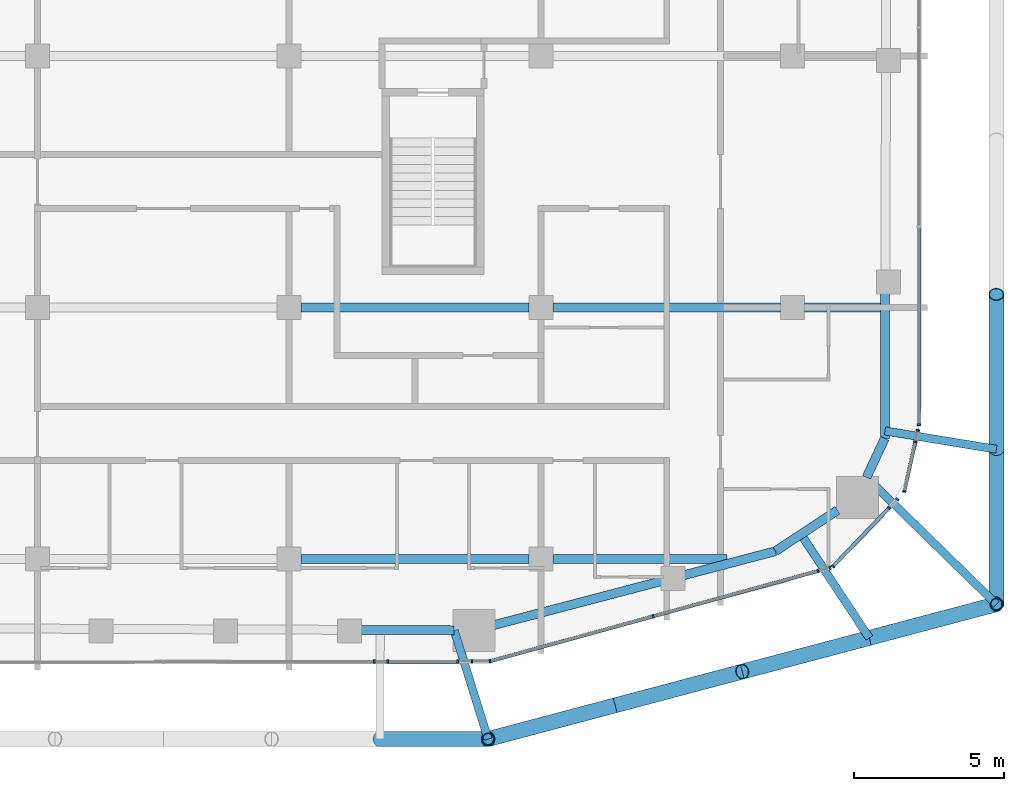
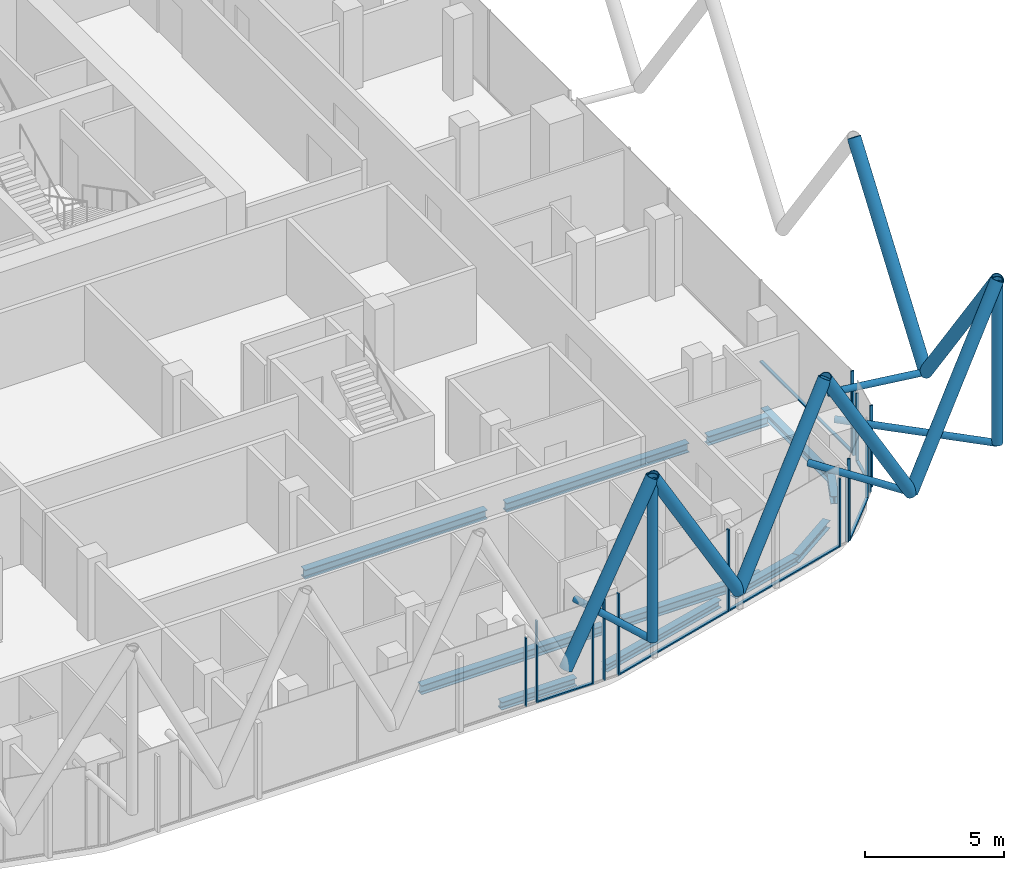
# One storey, part 6 of 31: 34 members, 11 beams, 11 elements without a shape of their own.
"""IFC4 building model written with IfcOpenShell, lengths in metres."""

from ifc_helpers import new_model, si_unit, direction, frame, origin, origin_2d, place, context, subcontext, project, spatial, rectangle, hollow_circle, i_section, extrude, material, layer, layer_set, material_profile, profile_set, type_object, element, aggregate, save


model = new_model("IFC4")

# Units and contexts
model_context = context("Model", 3, precision=1e-05, world=origin(), true_north=direction((0.0, 1.0)))
body_context = subcontext(model_context, "Body", "Model", "MODEL_VIEW")
ifc_project = project(units=[si_unit("LENGTHUNIT", "METRE"), si_unit("AREAUNIT", "SQUARE_METRE"), si_unit("VOLUMEUNIT", "CUBIC_METRE"), si_unit("PLANEANGLEUNIT", "RADIAN"), si_unit("MASSUNIT", "GRAM", prefix="KILO")], contexts=[model_context])

# Site, building, storey
site_placement = place(None, origin())
site = spatial("IfcSite", under=ifc_project, at=site_placement, CompositionType="ELEMENT")
building_placement = place(site_placement, origin())
building = spatial("IfcBuilding", under=site, at=building_placement, Name="Marenta Gate Hotel Tower", CompositionType="ELEMENT")
storey_placement = place(building_placement, frame((0.0, 0.0, 205.699951171875)))
storey = spatial("IfcBuildingStorey", under=building, at=storey_placement, Name="L47", CompositionType="ELEMENT", Elevation=205.699951171875)

# Members
ifc_material_1 = material(Name="Steel S355J2W", Category="steel")
ifc_material_profile_1 = material_profile(ifc_material_1, hollow_circle(Radius=0.203125, WallThickness=0.02490234375, at=origin_2d()), Name="CHS 406.4x25")
ifc_profile_set_1 = profile_set([ifc_material_profile_1], Name="Steel S355J2W")
member_type_1 = type_object("IfcMemberType", Name="Diagrid corner post Z3 CHS 406.4x25", PredefinedType="POST", material=ifc_profile_set_1)
for number, where, z_axis, x_axis, name in (
    (1, (27.800048828125, -26.7001953125, 3.14013671875), (0.0, 0.0, 1.0), (1.0, 0.0, 0.0), "L47-DR-2"),
    (2, (10.839111328125, -31.199951171875, 3.14013671875), (0.0, 0.0, 1.0), (1.0, 0.0, 0.0), "L47-DR-3"),
):
    element("IfcMember", number, at=place(storey_placement, frame(where, z_axis=z_axis, x_axis=x_axis)), inside=storey, type_object=member_type_1, Name=name, PredefinedType="POST", context=body_context, shape_type="SweptSolid", body=[
        extrude(hollow_circle(Radius=0.203125, WallThickness=0.02490234375, at=origin_2d()), origin(), (0.0, 0.0, 1.0), 7.199951171875),
    ])
ifc_material_2 = material(Name="Steel S355J2W", Category="steel")
ifc_material_profile_2 = material_profile(ifc_material_2, hollow_circle(Radius=0.25390625, WallThickness=0.02490234375, at=origin_2d()), Name="CHS 508x25")
ifc_profile_set_2 = profile_set([ifc_material_profile_2], Name="Steel S355J2W")
member_type_2 = type_object("IfcMemberType", Name="Diagrid diagonal Z3 CHS 508x25", PredefinedType="BRACE", material=ifc_profile_set_2)
member_1_placement = place(storey_placement, frame((27.800048828125, -21.530029296875, 3.14013671875), z_axis=(0.0, 0.583260841117, 0.812284919975), x_axis=(-1.0, 0.0, 0.0)))
element("IfcMember", 3, at=member_1_placement, inside=storey, type_object=member_type_2, Name="L47-DG-9", PredefinedType="BRACE", context=body_context, shape_type="SweptSolid", body=[
    extrude(hollow_circle(Radius=0.25390625, WallThickness=0.02490234375, at=origin_2d()), origin(), (0.0, 0.0, 1.0), 8.86376953125),
])
member_2_placement = place(storey_placement, frame((27.800048828125, -21.530029296875, 3.14013671875), z_axis=(0.0, -0.583279014058, 0.812271870595), x_axis=(1.0, 0.0, 0.0)))
element("IfcMember", 4, at=member_2_placement, inside=storey, type_object=member_type_2, Name="L47-DG-10", PredefinedType="BRACE", context=body_context, shape_type="SweptSolid", body=[
    extrude(hollow_circle(Radius=0.25390625, WallThickness=0.02490234375, at=origin_2d()), origin(), (0.0, 0.0, 1.0), 8.864013671875),
])
for number, where, z_axis, x_axis, name in (
    (5, (23.559814453125, -27.8251953125, 3.14013671875), (0.502924018666, 0.133433548941, 0.853968921838), (-0.256443187528, 0.96655930577, 0.0), "L47-DG-11"),
    (6, (23.559814453125, -27.8251953125, 3.14013671875), (-0.502924018666, -0.133433548941, 0.853968921838), (0.256443187528, -0.96655930577, 0.0), "L47-DG-12"),
    (7, (15.079345703125, -30.074951171875, 3.14013671875), (0.502925961678, 0.133405107407, 0.853972221087), (-0.256391194513, 0.966573098827, 0.0), "L47-DG-13"),
    (8, (15.079345703125, -30.074951171875, 3.14013671875), (-0.502924018666, -0.133433548941, 0.853968921838), (0.256443187528, -0.96655930577, 0.0), "L47-DG-14"),
):
    element("IfcMember", number, at=place(storey_placement, frame(where, z_axis=z_axis, x_axis=x_axis)), inside=storey, type_object=member_type_2, Name=name, PredefinedType="BRACE", context=body_context, shape_type="SweptSolid", body=[
        extrude(hollow_circle(Radius=0.25390625, WallThickness=0.02490234375, at=origin_2d()), origin(), (0.0, 0.0, 1.0), 8.43115234375),
    ])
member_3_placement = place(storey_placement, frame((7.22607421875, -31.199951171875, 3.14013671875), z_axis=(0.44851025603, 0.0, 0.893777685018), x_axis=(0.0, 1.0, 0.0)))
element("IfcMember", 9, at=member_3_placement, inside=storey, type_object=member_type_2, Name="L47-DG-15", PredefinedType="BRACE", context=body_context, shape_type="SweptSolid", body=[
    extrude(hollow_circle(Radius=0.25390625, WallThickness=0.02490234375, at=origin_2d()), origin(), (0.0, 0.0, 1.0), 8.0556640625),
])

# Beams
ifc_material_3 = material(Name="Steel S355", Category="steel")
ifc_material_profile_3 = material_profile(ifc_material_3, i_section(OverallWidth=0.300048828125, OverallDepth=0.340087890625, WebThickness=0.011962890625, FlangeThickness=0.021484375, FilletRadius=0.027099609375, at=origin_2d()), Name="HEB 340")
ifc_profile_set_3 = profile_set([ifc_material_profile_3], Name="Steel S355")
beam_type_1 = type_object("IfcBeamType", Name="Edge beam HEB 340", PredefinedType="SPANDREL", material=ifc_profile_set_3)
beam_1_placement = place(storey_placement, frame((24.09130859375, -16.31201171875, -0.429931640625), z_axis=(-0.003318732666, -0.999994492992, 0.0), x_axis=(0.999994492992, -0.003318732666, 0.0)))
element("IfcBeam", 10, at=beam_1_placement, inside=storey, type_object=beam_type_1, Name="L47-EB-27", PredefinedType="SPANDREL", context=body_context, shape_type="SweptSolid", body=[
    extrude(i_section(OverallWidth=0.300048828125, OverallDepth=0.340087890625, WebThickness=0.011962890625, FlangeThickness=0.021484375, FilletRadius=0.027099609375, at=origin_2d()), origin(), (0.0, 0.0, 1.0), 4.855224609375),
])
beam_2_placement = place(storey_placement, frame((24.0751953125, -21.167236328125, -0.429931640625), z_axis=(-0.423341112024, -0.905970365338, 0.0), x_axis=(0.905970365338, -0.423341112024, 0.0)))
element("IfcBeam", 11, at=beam_2_placement, inside=storey, type_object=beam_type_1, Name="L47-EB-28", PredefinedType="SPANDREL", context=body_context, shape_type="SweptSolid", body=[
    extrude(i_section(OverallWidth=0.300048828125, OverallDepth=0.340087890625, WebThickness=0.011962890625, FlangeThickness=0.021484375, FilletRadius=0.027099609375, at=origin_2d()), origin(), (0.0, 0.0, 1.0), 1.437255859375),
])
beam_3_placement = place(storey_placement, frame((22.496337890625, -23.56640625, -0.429931640625), z_axis=(-0.834528740585, -0.550964410047, 0.0), x_axis=(0.550964410047, -0.834528740585, 0.0)))
element("IfcBeam", 12, at=beam_3_placement, inside=storey, type_object=beam_type_1, Name="L47-EB-29", PredefinedType="SPANDREL", context=body_context, shape_type="SweptSolid", body=[
    extrude(i_section(OverallWidth=0.300048828125, OverallDepth=0.340087890625, WebThickness=0.011962890625, FlangeThickness=0.021484375, FilletRadius=0.027099609375, at=origin_2d()), origin(), (0.0, 0.0, 1.0), 2.47705078125),
])
beam_4_placement = place(storey_placement, frame((20.42919921875, -24.93115234375, -0.429931640625), z_axis=(-0.967235227858, -0.253881889845, 0.0), x_axis=(0.253881889845, -0.967235227858, 0.0)))
element("IfcBeam", 13, at=beam_4_placement, inside=storey, type_object=beam_type_1, Name="L47-EB-30", PredefinedType="SPANDREL", context=body_context, shape_type="SweptSolid", body=[
    extrude(i_section(OverallWidth=0.300048828125, OverallDepth=0.340087890625, WebThickness=0.011962890625, FlangeThickness=0.021484375, FilletRadius=0.027099609375, at=origin_2d()), origin(), (0.0, 0.0, 1.0), 3.164794921875),
])
beam_5_placement = place(storey_placement, frame((16.6455078125, -25.92431640625, -0.429931640625), z_axis=(-0.96723496524, -0.253882890359, 0.0), x_axis=(0.253882890359, -0.96723496524, 0.0)))
element("IfcBeam", 14, at=beam_5_placement, inside=storey, type_object=beam_type_1, Name="L47-EB-31", PredefinedType="SPANDREL", context=body_context, shape_type="SweptSolid", body=[
    extrude(i_section(OverallWidth=0.300048828125, OverallDepth=0.340087890625, WebThickness=0.011962890625, FlangeThickness=0.021484375, FilletRadius=0.027099609375, at=origin_2d()), origin(), (0.0, 0.0, 1.0), 5.80810546875),
])
beam_6_placement = place(storey_placement, frame((9.706298828125, -27.570068359375, -0.429931640625), z_axis=(-0.999992678531, 0.003826602206, 0.0), x_axis=(-0.003826602206, -0.999992678531, 0.0)))
element("IfcBeam", 15, at=beam_6_placement, inside=storey, type_object=beam_type_1, Name="L47-EB-32", PredefinedType="SPANDREL", context=body_context, shape_type="SweptSolid", body=[
    extrude(i_section(OverallWidth=0.300048828125, OverallDepth=0.340087890625, WebThickness=0.011962890625, FlangeThickness=0.021484375, FilletRadius=0.027099609375, at=origin_2d()), origin(), (0.0, 0.0, 1.0), 3.126220703125),
])

# Members
ifc_material_4 = material(Name="Steel S355J2W", Category="steel")
ifc_material_profile_4 = material_profile(ifc_material_4, hollow_circle(Radius=0.136474609375, WallThickness=0.012451171875, at=origin_2d()), Name="CHS 273x12.5")
ifc_profile_set_4 = profile_set([ifc_material_profile_4], Name="Steel S355J2W")
member_type_3 = type_object("IfcMemberType", Name="Floor tie CHS 273x12.5", PredefinedType="STRUT", material=ifc_profile_set_4)
member_4_placement = place(storey_placement, frame((27.800048828125, -21.530029296875, 3.14013671875), z_axis=(-0.986729812745, 0.162370799838, 0.0), x_axis=(-0.162370799838, -0.986729812745, 0.0)))
element("IfcMember", 16, at=member_4_placement, inside=storey, type_object=member_type_3, Name="L47-DR-10", PredefinedType="STRUT", context=body_context, shape_type="SweptSolid", body=[
    extrude(hollow_circle(Radius=0.136474609375, WallThickness=0.012451171875, at=origin_2d()), origin(), (0.0, 0.0, 1.0), 3.76806640625),
])
member_5_placement = place(storey_placement, frame((27.800048828125, -26.7001953125, 3.14013671875), z_axis=(-0.715510328178, 0.698602154499, 0.0), x_axis=(-0.698602154499, -0.715510328178, 0.0)))
element("IfcMember", 17, at=member_5_placement, inside=storey, type_object=member_type_3, Name="L47-DR-11", PredefinedType="STRUT", context=body_context, shape_type="SweptSolid", body=[
    extrude(hollow_circle(Radius=0.136474609375, WallThickness=0.012451171875, at=origin_2d()), origin(), (0.0, 0.0, 1.0), 6.050048828125),
])
member_6_placement = place(storey_placement, frame((23.559814453125, -27.8251953125, 3.14013671875), z_axis=(-0.550987823012, 0.834513282634, 0.0), x_axis=(-0.834513282634, -0.550987823012, 0.0)))
element("IfcMember", 18, at=member_6_placement, inside=storey, type_object=member_type_3, Name="L47-DR-12", PredefinedType="STRUT", context=body_context, shape_type="SweptSolid", body=[
    extrude(hollow_circle(Radius=0.136474609375, WallThickness=0.012451171875, at=origin_2d()), origin(), (0.0, 0.0, 1.0), 4.134033203125),
])
member_7_placement = place(storey_placement, frame((10.839111328125, -31.199951171875, 3.14013671875), z_axis=(-0.297897789013, 0.954597772521, 0.0), x_axis=(-0.954597772521, -0.297897789013, 0.0)))
element("IfcMember", 19, at=member_7_placement, inside=storey, type_object=member_type_3, Name="L47-DR-13", PredefinedType="STRUT", context=body_context, shape_type="SweptSolid", body=[
    extrude(hollow_circle(Radius=0.136474609375, WallThickness=0.012451171875, at=origin_2d()), origin(), (0.0, 0.0, 1.0), 3.796142578125),
])

# Beams
ifc_material_5 = material(Name="Steel S355", Category="steel")
ifc_material_profile_5 = material_profile(ifc_material_5, i_section(OverallWidth=0.300048828125, OverallDepth=0.39990234375, WebThickness=0.013427734375, FlangeThickness=0.02392578125, FilletRadius=0.027099609375, at=origin_2d()), Name="HEB 400")
ifc_profile_set_5 = profile_set([ifc_material_profile_5], Name="Steel S355")
beam_type_2 = type_object("IfcBeamType", Name="Girder HEB 400", PredefinedType="BEAM", material=ifc_profile_set_5)
beam_7_placement = place(storey_placement, frame((4.60009765625, -25.199951171875, -0.4599609375), z_axis=(1.0, 0.0, 0.0), x_axis=(0.0, 1.0, 0.0)))
element("IfcBeam", 20, at=beam_7_placement, inside=storey, type_object=beam_type_2, Name="L47-GD-4", PredefinedType="BEAM", context=body_context, shape_type="SweptSolid", body=[
    extrude(i_section(OverallWidth=0.300048828125, OverallDepth=0.39990234375, WebThickness=0.013427734375, FlangeThickness=0.02392578125, FilletRadius=0.027099609375, at=origin_2d()), origin(), (0.0, 0.0, 1.0), 7.599853515625),
])
beam_8_placement = place(storey_placement, frame((13.0, -25.199951171875, -0.4599609375), z_axis=(1.0, 0.0, 0.0), x_axis=(0.0, 1.0, 0.0)))
element("IfcBeam", 21, at=beam_8_placement, inside=storey, type_object=beam_type_2, Name="L47-GD-5", PredefinedType="BEAM", context=body_context, shape_type="SweptSolid", body=[
    extrude(i_section(OverallWidth=0.300048828125, OverallDepth=0.39990234375, WebThickness=0.013427734375, FlangeThickness=0.02392578125, FilletRadius=0.027099609375, at=origin_2d()), origin(), (0.0, 0.0, 1.0), 5.81396484375),
])
beam_9_placement = place(storey_placement, frame((4.60009765625, -16.800048828125, -0.4599609375), z_axis=(1.0, 0.0, 0.0), x_axis=(0.0, 1.0, 0.0)))
element("IfcBeam", 22, at=beam_9_placement, inside=storey, type_object=beam_type_2, Name="L47-GD-10", PredefinedType="BEAM", context=body_context, shape_type="SweptSolid", body=[
    extrude(i_section(OverallWidth=0.300048828125, OverallDepth=0.39990234375, WebThickness=0.013427734375, FlangeThickness=0.02392578125, FilletRadius=0.027099609375, at=origin_2d()), origin(), (0.0, 0.0, 1.0), 7.599853515625),
])
beam_10_placement = place(storey_placement, frame((13.0, -16.800048828125, -0.4599609375), z_axis=(1.0, 0.0, 0.0), x_axis=(0.0, 1.0, 0.0)))
element("IfcBeam", 23, at=beam_10_placement, inside=storey, type_object=beam_type_2, Name="L47-GD-11", PredefinedType="BEAM", context=body_context, shape_type="SweptSolid", body=[
    extrude(i_section(OverallWidth=0.300048828125, OverallDepth=0.39990234375, WebThickness=0.013427734375, FlangeThickness=0.02392578125, FilletRadius=0.027099609375, at=origin_2d()), origin(), (0.0, 0.0, 1.0), 7.60009765625),
])
beam_11_placement = place(storey_placement, frame((21.39990234375, -16.800048828125, -0.4599609375), z_axis=(1.0, 0.0, 0.0), x_axis=(0.0, 1.0, 0.0)))
element("IfcBeam", 24, at=beam_11_placement, inside=storey, type_object=beam_type_2, Name="L47-GD-12", PredefinedType="BEAM", context=body_context, shape_type="SweptSolid", body=[
    extrude(i_section(OverallWidth=0.300048828125, OverallDepth=0.39990234375, WebThickness=0.013427734375, FlangeThickness=0.02392578125, FilletRadius=0.027099609375, at=origin_2d()), origin(), (0.0, 0.0, 1.0), 2.539794921875),
])

# Curtain wall, member
ifc_material_6 = material(Name="Tinted insulated glass in bronze anodised frame", Category="glass")
ifc_layer = layer(ifc_material_6, 0.1201171875)
ifc_layer_set = layer_set([ifc_layer], Name="Tinted insulated glass in bronze anodised frame")
curtain_wall_type = type_object("IfcCurtainWallType", Name="Tower unitised curtain wall CW1", PredefinedType="NOTDEFINED", material=ifc_layer_set)
curtain_wall_1_placement = place(storey_placement, origin())
curtain_wall_1 = element("IfcCurtainWall", 25, at=curtain_wall_1_placement, inside=storey, type_object=curtain_wall_type, Name="CW1 run G22", PredefinedType="NOTDEFINED")
ifc_material_7 = material(Name="Bronze anodised aluminium", Category="aluminium")
ifc_material_profile_6 = material_profile(ifc_material_7, rectangle(XDim=0.1201171875, YDim=0.06005859375, at=origin_2d()), Name="Mullion CW1 60x120 bronze anodised aluminium")
ifc_profile_set_6 = profile_set([ifc_material_profile_6], Name="Bronze anodised aluminium")
member_type_4 = type_object("IfcMemberType", Name="Mullion CW1 60x120 bronze anodised aluminium", PredefinedType="MULLION", material=ifc_profile_set_6)
member_8_placement = place(storey_placement, frame((7.039306640625, -28.618896484375, 0.0), z_axis=(0.0, 0.0, 1.0), x_axis=(-0.001765611905, 0.999998441306, 0.0)))
member_8 = element("IfcMember", 26, at=member_8_placement, type_object=member_type_4, Name="CW1 mullion 1", PredefinedType="MULLION", context=body_context, shape_type="SweptSolid", body=[
    extrude(rectangle(XDim=0.1201171875, YDim=0.06005859375, at=origin_2d()), origin(), (0.0, 0.0, 1.0), 3.00048828125),
])
aggregate(curtain_wall_1, [member_8])

curtain_wall_2_placement = place(storey_placement, origin())
curtain_wall_2 = element("IfcCurtainWall", 27, at=curtain_wall_2_placement, inside=storey, type_object=curtain_wall_type, Name="CW1 run G23", PredefinedType="NOTDEFINED")
member_9_placement = place(storey_placement, frame((7.492431640625, -28.6181640625, 0.0), z_axis=(0.0, 0.0, 1.0), x_axis=(-0.001629220957, 0.999998672819, 0.0)))
member_9 = element("IfcMember", 28, at=member_9_placement, type_object=member_type_4, Name="CW1 mullion 1", PredefinedType="MULLION", context=body_context, shape_type="SweptSolid", body=[
    extrude(rectangle(XDim=0.1201171875, YDim=0.06005859375, at=origin_2d()), origin(), (0.0, 0.0, 1.0), 3.60009765625),
])

curtain_wall_3_placement = place(storey_placement, origin())
curtain_wall_3 = element("IfcCurtainWall", 29, at=curtain_wall_3_placement, inside=storey, type_object=curtain_wall_type, Name="CW1 run G24", PredefinedType="NOTDEFINED")
member_10_placement = place(storey_placement, frame((9.824951171875, -28.6142578125, 0.0), z_axis=(0.0, 0.0, 1.0), x_axis=(-0.001686693784, 0.999998577531, 0.0)))
member_10 = element("IfcMember", 30, at=member_10_placement, type_object=member_type_4, Name="CW1 mullion 1", PredefinedType="MULLION", context=body_context, shape_type="SweptSolid", body=[
    extrude(rectangle(XDim=0.1201171875, YDim=0.06005859375, at=origin_2d()), origin(), (0.0, 0.0, 1.0), 3.00048828125),
])
aggregate(curtain_wall_3, [member_10])

curtain_wall_4_placement = place(storey_placement, origin())
curtain_wall_4 = element("IfcCurtainWall", 31, at=curtain_wall_4_placement, inside=storey, type_object=curtain_wall_type, Name="CW1 run G25", PredefinedType="NOTDEFINED")
member_11_placement = place(storey_placement, frame((10.29931640625, -28.613525390625, 0.0), z_axis=(0.0, 0.0, 1.0), x_axis=(-0.001654257461, 0.999998631715, 0.0)))
member_11 = element("IfcMember", 32, at=member_11_placement, type_object=member_type_4, Name="CW1 mullion 1", PredefinedType="MULLION", context=body_context, shape_type="SweptSolid", body=[
    extrude(rectangle(XDim=0.1201171875, YDim=0.06005859375, at=origin_2d()), origin(), (0.0, 0.0, 1.0), 3.60009765625),
])
aggregate(curtain_wall_4, [member_11])

# Curtain wall, members
curtain_wall_5_placement = place(storey_placement, origin())
curtain_wall_5 = element("IfcCurtainWall", 33, at=curtain_wall_5_placement, inside=storey, type_object=curtain_wall_type, Name="CW1 run G26", PredefinedType="NOTDEFINED")
member_12_placement = place(storey_placement, frame((10.902587890625, -28.6044921875, 0.0), z_axis=(0.0, 0.0, 1.0), x_axis=(-0.265293853742, 0.964167605329, 0.0)))
member_12 = element("IfcMember", 34, at=member_12_placement, type_object=member_type_4, Name="CW1 mullion 1", PredefinedType="MULLION", context=body_context, shape_type="SweptSolid", body=[
    extrude(rectangle(XDim=0.1201171875, YDim=0.06005859375, at=origin_2d()), origin(), (0.0, 0.0, 1.0), 3.60009765625),
])
member_13_placement = place(storey_placement, frame((16.3466796875, -27.106689453125, 0.0), z_axis=(0.0, 0.0, 1.0), x_axis=(-0.265293853742, 0.964167605329, 0.0)))
member_13 = element("IfcMember", 35, at=member_13_placement, type_object=member_type_4, Name="CW1 mullion 2", PredefinedType="MULLION", context=body_context, shape_type="SweptSolid", body=[
    extrude(rectangle(XDim=0.1201171875, YDim=0.06005859375, at=origin_2d()), origin(), (0.0, 0.0, 1.0), 3.60009765625),
])

curtain_wall_6_placement = place(storey_placement, origin())
curtain_wall_6 = element("IfcCurtainWall", 36, at=curtain_wall_6_placement, inside=storey, type_object=curtain_wall_type, Name="CW1 run G27", PredefinedType="NOTDEFINED")
member_14_placement = place(storey_placement, frame((21.8486328125, -25.5927734375, 0.0), z_axis=(0.0, 0.0, 1.0), x_axis=(-0.265283308776, 0.964170506749, 0.0)))
member_14 = element("IfcMember", 37, at=member_14_placement, type_object=member_type_4, Name="CW1 mullion 1", PredefinedType="MULLION", context=body_context, shape_type="SweptSolid", body=[
    extrude(rectangle(XDim=0.1201171875, YDim=0.06005859375, at=origin_2d()), origin(), (0.0, 0.0, 1.0), 3.00048828125),
])
member_15_placement = place(storey_placement, frame((22.25, -25.482177734375, 0.0), z_axis=(0.0, 0.0, 1.0), x_axis=(-0.265283308776, 0.964170506749, 0.0)))
member_15 = element("IfcMember", 38, at=member_15_placement, type_object=member_type_4, Name="CW1 mullion 2", PredefinedType="MULLION", context=body_context, shape_type="SweptSolid", body=[
    extrude(rectangle(XDim=0.1201171875, YDim=0.06005859375, at=origin_2d()), origin(), (0.0, 0.0, 1.0), 3.00048828125),
])
aggregate(curtain_wall_6, [member_14, member_15])

# Curtain wall, member
curtain_wall_7_placement = place(storey_placement, origin())
curtain_wall_7 = element("IfcCurtainWall", 39, at=curtain_wall_7_placement, inside=storey, type_object=curtain_wall_type, Name="CW1 run G28", PredefinedType="NOTDEFINED")
member_16_placement = place(storey_placement, frame((22.345458984375, -25.43994140625, 0.0), z_axis=(0.0, 0.0, 1.0), x_axis=(-0.721374796599, 0.692544874237, 0.0)))
member_16 = element("IfcMember", 40, at=member_16_placement, type_object=member_type_4, Name="CW1 mullion 1", PredefinedType="MULLION", context=body_context, shape_type="SweptSolid", body=[
    extrude(rectangle(XDim=0.1201171875, YDim=0.06005859375, at=origin_2d()), origin(), (0.0, 0.0, 1.0), 3.60009765625),
])

# Curtain wall, members
curtain_wall_8_placement = place(storey_placement, origin())
curtain_wall_8 = element("IfcCurtainWall", 41, at=curtain_wall_8_placement, inside=storey, type_object=curtain_wall_type, Name="CW1 run G29", PredefinedType="NOTDEFINED")
member_17_placement = place(storey_placement, frame((24.22412109375, -23.4833984375, 0.0), z_axis=(0.0, 0.0, 1.0), x_axis=(-0.721418199888, 0.692499661278, 0.0)))
member_17 = element("IfcMember", 42, at=member_17_placement, type_object=member_type_4, Name="CW1 mullion 1", PredefinedType="MULLION", context=body_context, shape_type="SweptSolid", body=[
    extrude(rectangle(XDim=0.1201171875, YDim=0.06005859375, at=origin_2d()), origin(), (0.0, 0.0, 1.0), 3.00048828125),
])
member_18_placement = place(storey_placement, frame((24.496337890625, -23.199951171875, 0.0), z_axis=(0.0, 0.0, 1.0), x_axis=(-0.721418199888, 0.692499661278, 0.0)))
member_18 = element("IfcMember", 43, at=member_18_placement, type_object=member_type_4, Name="CW1 mullion 2", PredefinedType="MULLION", context=body_context, shape_type="SweptSolid", body=[
    extrude(rectangle(XDim=0.1201171875, YDim=0.06005859375, at=origin_2d()), origin(), (0.0, 0.0, 1.0), 3.00048828125),
])
aggregate(curtain_wall_8, [member_17, member_18])

# Curtain wall, member
curtain_wall_9_placement = place(storey_placement, origin())
curtain_wall_9 = element("IfcCurtainWall", 44, at=curtain_wall_9_placement, inside=storey, type_object=curtain_wall_type, Name="CW1 run G30", PredefinedType="NOTDEFINED")
member_19_placement = place(storey_placement, frame((24.726806640625, -22.937255859375, 0.0), z_axis=(0.0, 0.0, 1.0), x_axis=(-0.97621206153, 0.21681792113, 0.0)))
member_19 = element("IfcMember", 45, at=member_19_placement, type_object=member_type_4, Name="CW1 mullion 1", PredefinedType="MULLION", context=body_context, shape_type="SweptSolid", body=[
    extrude(rectangle(XDim=0.1201171875, YDim=0.06005859375, at=origin_2d()), origin(), (0.0, 0.0, 1.0), 3.60009765625),
])

# Curtain wall, members
curtain_wall_10_placement = place(storey_placement, origin())
curtain_wall_10 = element("IfcCurtainWall", 46, at=curtain_wall_10_placement, inside=storey, type_object=curtain_wall_type, Name="CW1 run G31", PredefinedType="NOTDEFINED")
member_20_placement = place(storey_placement, frame((25.093994140625, -21.283935546875, 0.0), z_axis=(0.0, 0.0, 1.0), x_axis=(-0.976197431319, 0.216883782439, 0.0)))
member_20 = element("IfcMember", 47, at=member_20_placement, type_object=member_type_4, Name="CW1 mullion 1", PredefinedType="MULLION", context=body_context, shape_type="SweptSolid", body=[
    extrude(rectangle(XDim=0.1201171875, YDim=0.06005859375, at=origin_2d()), origin(), (0.0, 0.0, 1.0), 3.00048828125),
])
member_21_placement = place(storey_placement, frame((25.179443359375, -20.899658203125, 0.0), z_axis=(0.0, 0.0, 1.0), x_axis=(-0.976197431319, 0.216883782439, 0.0)))
member_21 = element("IfcMember", 48, at=member_21_placement, type_object=member_type_4, Name="CW1 mullion 2", PredefinedType="MULLION", context=body_context, shape_type="SweptSolid", body=[
    extrude(rectangle(XDim=0.1201171875, YDim=0.06005859375, at=origin_2d()), origin(), (0.0, 0.0, 1.0), 3.00048828125),
])
aggregate(curtain_wall_10, [member_20, member_21])

# Curtain wall, member
curtain_wall_11_placement = place(storey_placement, origin())
curtain_wall_11 = element("IfcCurtainWall", 49, at=curtain_wall_11_placement, inside=storey, type_object=curtain_wall_type, Name="CW1 run G32", PredefinedType="NOTDEFINED")
member_22_placement = place(storey_placement, frame((25.214111328125, -20.7138671875, 0.0), z_axis=(0.0, 0.0, 1.0), x_axis=(-1.0, 0.0, 0.0)))
member_22 = element("IfcMember", 50, at=member_22_placement, type_object=member_type_4, Name="CW1 mullion 1", PredefinedType="MULLION", context=body_context, shape_type="SweptSolid", body=[
    extrude(rectangle(XDim=0.1201171875, YDim=0.06005859375, at=origin_2d()), origin(), (0.0, 0.0, 1.0), 3.60009765625),
])

# Member
ifc_material_8 = material(Name="Bronze anodised aluminium", Category="aluminium")
ifc_material_profile_7 = material_profile(ifc_material_8, rectangle(XDim=0.1201171875, YDim=0.06005859375, at=origin_2d()), Name="Transom CW1 60x120 bronze anodised aluminium")
ifc_profile_set_7 = profile_set([ifc_material_profile_7], Name="Bronze anodised aluminium")
member_type_5 = type_object("IfcMemberType", Name="Transom CW1 60x120 bronze anodised aluminium", PredefinedType="USERDEFINED", material=ifc_profile_set_7)
member_23_placement = place(storey_placement, frame((7.5224609375, -28.617919921875, 0.030029296875), z_axis=(0.999998701509, 0.001611514882, 0.0), x_axis=(-0.001611514882, 0.999998701509, 0.0)))
member_23 = element("IfcMember", 51, at=member_23_placement, type_object=member_type_5, Name="CW1 transom 1.1", ObjectType="TRANSOM", PredefinedType="USERDEFINED", context=body_context, shape_type="SweptSolid", body=[
    extrude(rectangle(XDim=0.1201171875, YDim=0.06005859375, at=origin_2d()), origin(), (0.0, 0.0, 1.0), 2.2724609375),
])

aggregate(curtain_wall_2, [member_9, member_23])

member_24_placement = place(storey_placement, frame((10.931640625, -28.5966796875, 0.030029296875), z_axis=(0.964158168869, 0.265328146648, 0.0), x_axis=(-0.265328146648, 0.964158168869, 0.0)))
member_24 = element("IfcMember", 52, at=member_24_placement, type_object=member_type_5, Name="CW1 transom 1.1", ObjectType="TRANSOM", PredefinedType="USERDEFINED", context=body_context, shape_type="SweptSolid", body=[
    extrude(rectangle(XDim=0.1201171875, YDim=0.06005859375, at=origin_2d()), origin(), (0.0, 0.0, 1.0), 5.586181640625),
])

member_25_placement = place(storey_placement, frame((16.37548828125, -27.0986328125, 0.030029296875), z_axis=(0.964163650311, 0.265308227199, 0.0), x_axis=(-0.265308227199, 0.964163650311, 0.0)))
member_25 = element("IfcMember", 53, at=member_25_placement, type_object=member_type_5, Name="CW1 transom 2.1", ObjectType="TRANSOM", PredefinedType="USERDEFINED", context=body_context, shape_type="SweptSolid", body=[
    extrude(rectangle(XDim=0.1201171875, YDim=0.06005859375, at=origin_2d()), origin(), (0.0, 0.0, 1.0), 5.646484375),
])

aggregate(curtain_wall_5, [member_12, member_13, member_24, member_25])

member_26_placement = place(storey_placement, frame((22.366455078125, -25.41845703125, 0.030029296875), z_axis=(0.692508837001, 0.721409391868, 0.0), x_axis=(-0.721409391868, 0.692508837001, 0.0)))
member_26 = element("IfcMember", 54, at=member_26_placement, type_object=member_type_5, Name="CW1 transom 1.1", ObjectType="TRANSOM", PredefinedType="USERDEFINED", context=body_context, shape_type="SweptSolid", body=[
    extrude(rectangle(XDim=0.1201171875, YDim=0.06005859375, at=origin_2d()), origin(), (0.0, 0.0, 1.0), 2.652587890625),
])

aggregate(curtain_wall_7, [member_16, member_26])

member_27_placement = place(storey_placement, frame((24.7333984375, -22.907958984375, 0.030029296875), z_axis=(0.216708908034, 0.976236267088, 0.0), x_axis=(-0.976236267088, 0.216708908034, 0.0)))
member_27 = element("IfcMember", 55, at=member_27_placement, type_object=member_type_5, Name="CW1 transom 1.1", ObjectType="TRANSOM", PredefinedType="USERDEFINED", context=body_context, shape_type="SweptSolid", body=[
    extrude(rectangle(XDim=0.1201171875, YDim=0.06005859375, at=origin_2d()), origin(), (0.0, 0.0, 1.0), 1.633544921875),
])

aggregate(curtain_wall_9, [member_19, member_27])

member_28_placement = place(storey_placement, frame((25.214111328125, -20.683837890625, 0.030029296875), z_axis=(0.0, 1.0, 0.0), x_axis=(-1.0, 0.0, 0.0)))
member_28 = element("IfcMember", 56, at=member_28_placement, type_object=member_type_5, Name="CW1 transom 1.1", ObjectType="TRANSOM", PredefinedType="USERDEFINED", context=body_context, shape_type="SweptSolid", body=[
    extrude(rectangle(XDim=0.1201171875, YDim=0.06005859375, at=origin_2d()), origin(), (0.0, 0.0, 1.0), 6.55029296875),
])

aggregate(curtain_wall_11, [member_22, member_28])

save(model, "model.ifc")
